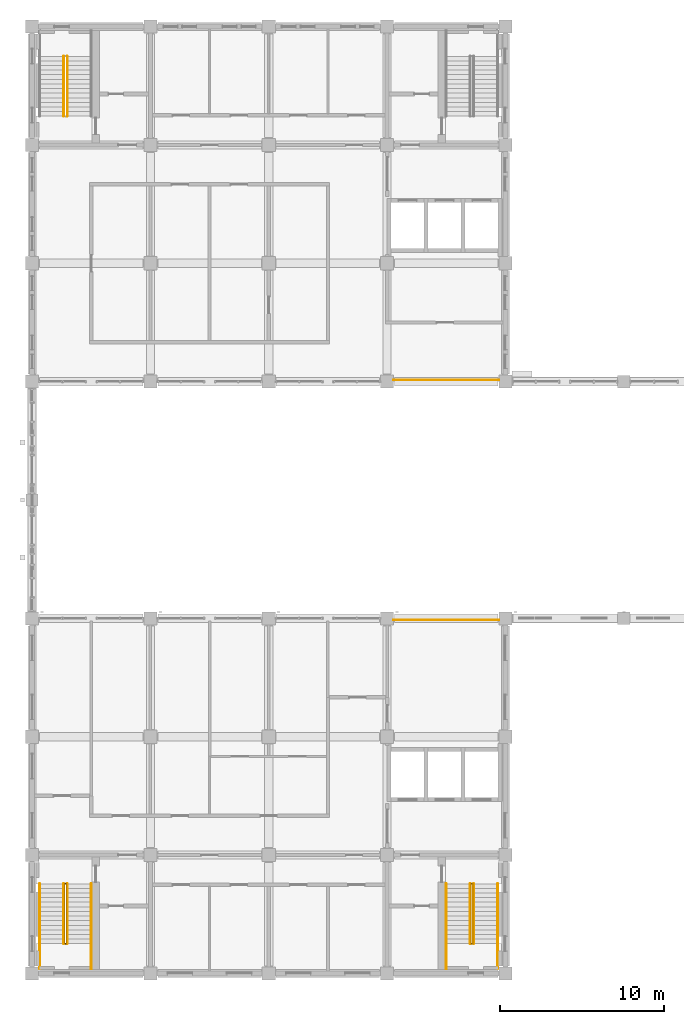
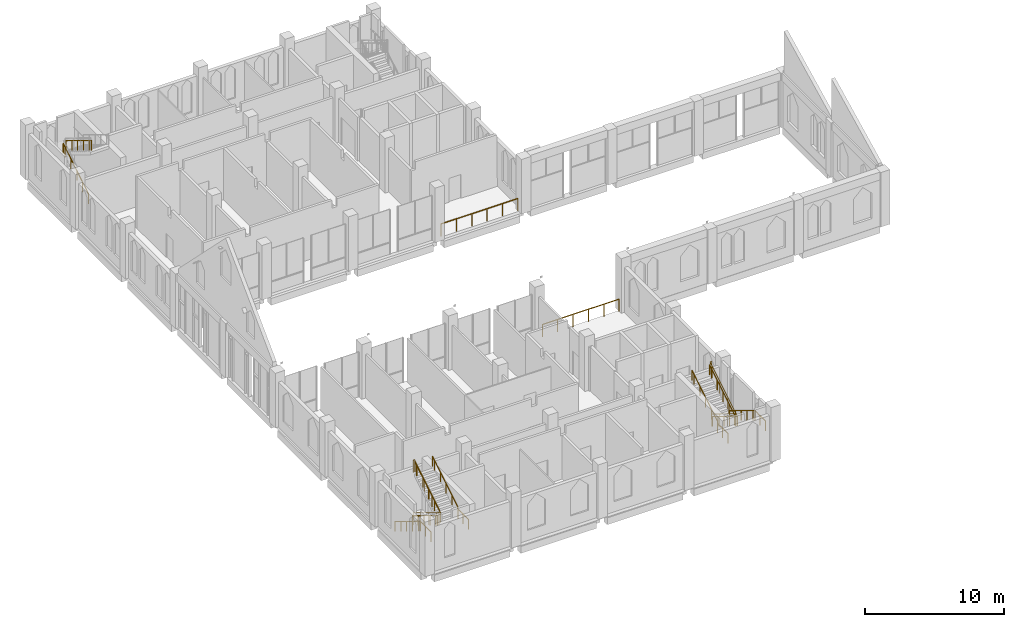
# One storey, part 30 of 31: 14 railings.
"""IFC4 building model written with IfcOpenShell, lengths in metres."""

from ifc_helpers import new_model, si_unit, direction, frame, origin, origin_2d, place, context, subcontext, project, spatial, circle, extrude, material, type_object, element, save


model = new_model("IFC4")

# Units and contexts
model_context = context("Model", 3, precision=1e-05, world=origin(), true_north=direction((0.0, 1.0)))
body_context = subcontext(model_context, "Body", "Model", "MODEL_VIEW")
ifc_project = project(units=[si_unit("LENGTHUNIT", "METRE"), si_unit("AREAUNIT", "SQUARE_METRE"), si_unit("VOLUMEUNIT", "CUBIC_METRE"), si_unit("PLANEANGLEUNIT", "RADIAN"), si_unit("MASSUNIT", "GRAM", prefix="KILO")], contexts=[model_context])

# Site, building, storey
site_placement = place(None, origin())
site = spatial("IfcSite", under=ifc_project, at=site_placement, CompositionType="ELEMENT")
building_placement = place(site_placement, origin())
building = spatial("IfcBuilding", under=site, at=building_placement, Name="Silangan Lancet Faculty of Sciences", CompositionType="ELEMENT")
storey_placement = place(building_placement, frame((0.0, 0.0, 36.0)))
storey = spatial("IfcBuildingStorey", under=building, at=storey_placement, Name="L07", CompositionType="ELEMENT", Elevation=36.0)

# Railings
ifc_material_1 = material(Name="Steel balustrade", Category="steel")
railing_type_1 = type_object("IfcRailingType", Name="ATRIUM GUARD 1100", PredefinedType="GUARDRAIL", material=ifc_material_1)
for number, where, name in (
    (1, (22.0, 21.5, 0.0), "GUARD-ATR-L07-S13"),
    (2, (22.0, 36.10009765625, 0.0), "GUARD-ATR-L07-N14"),
):
    element("IfcRailing", number, at=place(storey_placement, frame(where)), inside=storey, type_object=railing_type_1, Name=name, PredefinedType="GUARDRAIL", context=body_context, shape_type="SweptSolid", body=[
        extrude(circle(Radius=0.02392578125, at=origin_2d()), frame((0.0, 0.0, 1.076171875), z_axis=(1.0, 0.0, 0.0), x_axis=(0.0, 1.0, 0.0)), (0.0, 0.0, 1.0), 6.39990234375),
        extrude(circle(Radius=0.02099609375, at=origin_2d()), origin(), (0.0, 0.0, 1.0), 1.052001953125),
        extrude(circle(Radius=0.02099609375, at=origin_2d()), frame((1.280029296875, 0.0, 0.0)), (0.0, 0.0, 1.0), 1.052001953125),
        extrude(circle(Radius=0.02099609375, at=origin_2d()), frame((2.56005859375, 0.0, 0.0)), (0.0, 0.0, 1.0), 1.052001953125),
        extrude(circle(Radius=0.02099609375, at=origin_2d()), frame((3.83984375, 0.0, 0.0)), (0.0, 0.0, 1.0), 1.052001953125),
        extrude(circle(Radius=0.02099609375, at=origin_2d()), frame((5.119873046875, 0.0, 0.0)), (0.0, 0.0, 1.0), 1.052001953125),
        extrude(circle(Radius=0.02099609375, at=origin_2d()), frame((6.39990234375, 0.0, 0.0)), (0.0, 0.0, 1.0), 1.052001953125),
    ])
ifc_material_2 = material(Name="Steel balustrade", Category="steel")
railing_type_2 = type_object("IfcRailingType", Name="STAIR GUARD 1100", PredefinedType="GUARDRAIL", material=ifc_material_2)
railing_1_placement = place(storey_placement, frame((1.97509765625, 5.449951171875, 0.17138671875)))
element("IfcRailing", 3, at=railing_1_placement, inside=storey, type_object=railing_type_2, Name="GUARD-ST-A-L07", PredefinedType="GUARDRAIL", context=body_context, shape_type="SweptSolid", body=[
    extrude(circle(Radius=0.02392578125, at=origin_2d()), frame((0.0, 0.0, 1.076171875), z_axis=(0.0, -0.852798921012, 0.522239409008), x_axis=(1.0, 0.0, 0.0)), (0.0, 0.0, 1.0), 1.313232421875),
    extrude(circle(Radius=0.02392578125, at=origin_2d()), frame((0.0, -1.119873046875, 1.76171875), z_axis=(0.0, -0.852849614702, 0.52215661894), x_axis=(1.0, 0.0, 0.0)), (0.0, 0.0, 1.0), 1.3134765625),
    extrude(circle(Radius=0.02392578125, at=origin_2d()), frame((0.0, -2.239990234375, 2.44775390625), z_axis=(0.0, -0.852881719064, 0.522104178577), x_axis=(1.0, 0.0, 0.0)), (0.0, 0.0, 1.0), 1.31298828125),
    extrude(circle(Radius=0.02392578125, at=origin_2d()), frame((0.0, -3.35986328125, 3.13330078125), z_axis=(0.0, -0.852932391421, 0.522021393877), x_axis=(1.0, 0.0, 0.0)), (0.0, 0.0, 1.0), 0.328369140625),
    extrude(circle(Radius=0.02392578125, at=origin_2d()), frame((0.0, -3.639892578125, 3.3046875), z_axis=(1.0, 0.0, 0.0), x_axis=(0.0, 1.0, 0.0)), (0.0, 0.0, 1.0), 0.125),
    extrude(circle(Radius=0.02392578125, at=origin_2d()), frame((0.125, -3.639892578125, 3.3046875), z_axis=(0.0, 0.0, 1.0), x_axis=(1.0, 0.0, 0.0)), (0.0, 0.0, 1.0), 0.17138671875),
    extrude(circle(Radius=0.02392578125, at=origin_2d()), frame((0.125, -3.639892578125, 3.47607421875), z_axis=(0.0, 0.852798921012, 0.522239409008), x_axis=(-1.0, 0.0, 0.0)), (0.0, 0.0, 1.0), 1.313232421875),
    extrude(circle(Radius=0.02392578125, at=origin_2d()), frame((0.125, -2.52001953125, 4.16162109375), z_axis=(0.0, 0.852849614702, 0.52215661894), x_axis=(-1.0, 0.0, 0.0)), (0.0, 0.0, 1.0), 1.3134765625),
    extrude(circle(Radius=0.02392578125, at=origin_2d()), frame((0.125, -1.39990234375, 4.84765625), z_axis=(0.0, 0.852798921012, 0.522239409008), x_axis=(-1.0, 0.0, 0.0)), (0.0, 0.0, 1.0), 1.313232421875),
    extrude(circle(Radius=0.02392578125, at=origin_2d()), frame((0.125, -0.280029296875, 5.533203125), z_axis=(0.0, 0.852932391421, 0.522021393877), x_axis=(-1.0, 0.0, 0.0)), (0.0, 0.0, 1.0), 0.328369140625),
    extrude(circle(Radius=0.02392578125, at=origin_2d()), frame((0.125, 0.0, 5.70458984375), z_axis=(-1.0, 0.0, 0.0), x_axis=(0.0, -1.0, 0.0)), (0.0, 0.0, 1.0), 0.125),
    extrude(circle(Radius=0.02099609375, at=origin_2d()), origin(), (0.0, 0.0, 1.0), 1.052001953125),
    extrude(circle(Radius=0.02099609375, at=origin_2d()), frame((0.0, -1.119873046875, 0.685791015625)), (0.0, 0.0, 1.0), 1.052001953125),
    extrude(circle(Radius=0.02099609375, at=origin_2d()), frame((0.0, -2.239990234375, 1.37158203125)), (0.0, 0.0, 1.0), 1.052001953125),
    extrude(circle(Radius=0.02099609375, at=origin_2d()), frame((0.0, -3.35986328125, 2.05712890625)), (0.0, 0.0, 1.0), 1.052001953125),
    extrude(circle(Radius=0.02099609375, at=origin_2d()), frame((0.0, -3.639892578125, 2.228515625)), (0.0, 0.0, 1.0), 1.052001953125),
    extrude(circle(Radius=0.02099609375, at=origin_2d()), frame((0.125, -3.639892578125, 2.228515625)), (0.0, 0.0, 1.0), 1.052001953125),
    extrude(circle(Radius=0.02099609375, at=origin_2d()), frame((0.125, -3.639892578125, 2.39990234375)), (0.0, 0.0, 1.0), 1.052001953125),
    extrude(circle(Radius=0.02099609375, at=origin_2d()), frame((0.125, -2.52001953125, 3.085693359375)), (0.0, 0.0, 1.0), 1.052001953125),
    extrude(circle(Radius=0.02099609375, at=origin_2d()), frame((0.125, -1.39990234375, 3.771484375)), (0.0, 0.0, 1.0), 1.052001953125),
    extrude(circle(Radius=0.02099609375, at=origin_2d()), frame((0.125, -0.280029296875, 4.457275390625)), (0.0, 0.0, 1.0), 1.052001953125),
    extrude(circle(Radius=0.02099609375, at=origin_2d()), frame((0.125, 0.0, 4.628662109375)), (0.0, 0.0, 1.0), 1.052001953125),
    extrude(circle(Radius=0.02099609375, at=origin_2d()), frame((0.0, 0.0, 4.628662109375)), (0.0, 0.0, 1.0), 1.052001953125),
])
railing_2_placement = place(storey_placement, frame((26.824951171875, 5.449951171875, 0.17138671875)))
element("IfcRailing", 4, at=railing_2_placement, inside=storey, type_object=railing_type_2, Name="GUARD-ST-B-L07", PredefinedType="GUARDRAIL", context=body_context, shape_type="SweptSolid", body=[
    extrude(circle(Radius=0.02392578125, at=origin_2d()), frame((0.0, 0.0, 1.076171875), z_axis=(0.0, -0.852798921012, 0.522239409008), x_axis=(1.0, 0.0, 0.0)), (0.0, 0.0, 1.0), 1.313232421875),
    extrude(circle(Radius=0.02392578125, at=origin_2d()), frame((0.0, -1.119873046875, 1.76171875), z_axis=(0.0, -0.852849614702, 0.52215661894), x_axis=(1.0, 0.0, 0.0)), (0.0, 0.0, 1.0), 1.3134765625),
    extrude(circle(Radius=0.02392578125, at=origin_2d()), frame((0.0, -2.239990234375, 2.44775390625), z_axis=(0.0, -0.852881719064, 0.522104178577), x_axis=(1.0, 0.0, 0.0)), (0.0, 0.0, 1.0), 1.31298828125),
    extrude(circle(Radius=0.02392578125, at=origin_2d()), frame((0.0, -3.35986328125, 3.13330078125), z_axis=(0.0, -0.852932391421, 0.522021393877), x_axis=(1.0, 0.0, 0.0)), (0.0, 0.0, 1.0), 0.328369140625),
    extrude(circle(Radius=0.02392578125, at=origin_2d()), frame((0.0, -3.639892578125, 3.3046875), z_axis=(-1.0, 0.0, 0.0), x_axis=(0.0, -1.0, 0.0)), (0.0, 0.0, 1.0), 0.125),
    extrude(circle(Radius=0.02392578125, at=origin_2d()), frame((-0.125, -3.639892578125, 3.3046875), z_axis=(0.0, 0.0, 1.0), x_axis=(1.0, 0.0, 0.0)), (0.0, 0.0, 1.0), 0.17138671875),
    extrude(circle(Radius=0.02392578125, at=origin_2d()), frame((-0.125, -3.639892578125, 3.47607421875), z_axis=(0.0, 0.852798921012, 0.522239409008), x_axis=(-1.0, 0.0, 0.0)), (0.0, 0.0, 1.0), 1.313232421875),
    extrude(circle(Radius=0.02392578125, at=origin_2d()), frame((-0.125, -2.52001953125, 4.16162109375), z_axis=(0.0, 0.852849614702, 0.52215661894), x_axis=(-1.0, 0.0, 0.0)), (0.0, 0.0, 1.0), 1.3134765625),
    extrude(circle(Radius=0.02392578125, at=origin_2d()), frame((-0.125, -1.39990234375, 4.84765625), z_axis=(0.0, 0.852798921012, 0.522239409008), x_axis=(-1.0, 0.0, 0.0)), (0.0, 0.0, 1.0), 1.313232421875),
    extrude(circle(Radius=0.02392578125, at=origin_2d()), frame((-0.125, -0.280029296875, 5.533203125), z_axis=(0.0, 0.852932391421, 0.522021393877), x_axis=(-1.0, 0.0, 0.0)), (0.0, 0.0, 1.0), 0.328369140625),
    extrude(circle(Radius=0.02392578125, at=origin_2d()), frame((-0.125, 0.0, 5.70458984375), z_axis=(1.0, 0.0, 0.0), x_axis=(0.0, 1.0, 0.0)), (0.0, 0.0, 1.0), 0.125),
    extrude(circle(Radius=0.02099609375, at=origin_2d()), origin(), (0.0, 0.0, 1.0), 1.052001953125),
    extrude(circle(Radius=0.02099609375, at=origin_2d()), frame((0.0, -1.119873046875, 0.685791015625)), (0.0, 0.0, 1.0), 1.052001953125),
    extrude(circle(Radius=0.02099609375, at=origin_2d()), frame((0.0, -2.239990234375, 1.37158203125)), (0.0, 0.0, 1.0), 1.052001953125),
    extrude(circle(Radius=0.02099609375, at=origin_2d()), frame((0.0, -3.35986328125, 2.05712890625)), (0.0, 0.0, 1.0), 1.052001953125),
    extrude(circle(Radius=0.02099609375, at=origin_2d()), frame((0.0, -3.639892578125, 2.228515625)), (0.0, 0.0, 1.0), 1.052001953125),
    extrude(circle(Radius=0.02099609375, at=origin_2d()), frame((-0.125, -3.639892578125, 2.228515625)), (0.0, 0.0, 1.0), 1.052001953125),
    extrude(circle(Radius=0.02099609375, at=origin_2d()), frame((-0.125, -3.639892578125, 2.39990234375)), (0.0, 0.0, 1.0), 1.052001953125),
    extrude(circle(Radius=0.02099609375, at=origin_2d()), frame((-0.125, -2.52001953125, 3.085693359375)), (0.0, 0.0, 1.0), 1.052001953125),
    extrude(circle(Radius=0.02099609375, at=origin_2d()), frame((-0.125, -1.39990234375, 3.771484375)), (0.0, 0.0, 1.0), 1.052001953125),
    extrude(circle(Radius=0.02099609375, at=origin_2d()), frame((-0.125, -0.280029296875, 4.457275390625)), (0.0, 0.0, 1.0), 1.052001953125),
    extrude(circle(Radius=0.02099609375, at=origin_2d()), frame((-0.125, 0.0, 4.628662109375)), (0.0, 0.0, 1.0), 1.052001953125),
    extrude(circle(Radius=0.02099609375, at=origin_2d()), frame((0.0, 0.0, 4.628662109375)), (0.0, 0.0, 1.0), 1.052001953125),
])
ifc_material_3 = material(Name="Stainless steel", Category="steel")
railing_type_3 = type_object("IfcRailingType", Name="STAIR HANDRAIL 865", PredefinedType="HANDRAIL", material=ifc_material_3)
railing_3_placement = place(storey_placement, frame((1.925048828125, 52.14990234375, 0.17138671875)))
element("IfcRailing", 5, at=railing_3_placement, inside=storey, type_object=railing_type_3, Name="HANDRAIL-NT-A-L07-I1", PredefinedType="HANDRAIL", context=body_context, shape_type="SweptSolid", body=[
    extrude(circle(Radius=0.02392578125, at=origin_2d()), frame((0.0, 0.0, 0.8408203125), z_axis=(0.0, 0.852822021269, 0.522201685212), x_axis=(-1.0, 0.0, 0.0)), (0.0, 0.0, 1.0), 0.985107421875),
    extrude(circle(Radius=0.02392578125, at=origin_2d()), frame((0.0, 0.840087890625, 1.35546875), z_axis=(0.0, 0.852932391421, 0.522021393877), x_axis=(-1.0, 0.0, 0.0)), (0.0, 0.0, 1.0), 0.98486328125),
    extrude(circle(Radius=0.02392578125, at=origin_2d()), frame((0.0, 1.68017578125, 1.86962890625), z_axis=(0.0, 0.852754414843, 0.522312079092), x_axis=(-1.0, 0.0, 0.0)), (0.0, 0.0, 1.0), 0.98486328125),
    extrude(circle(Radius=0.02392578125, at=origin_2d()), frame((0.0, 2.52001953125, 2.3837890625), z_axis=(0.0, 0.852932391421, 0.522021393877), x_axis=(-1.0, 0.0, 0.0)), (0.0, 0.0, 1.0), 0.98486328125),
    extrude(circle(Radius=0.02392578125, at=origin_2d()), frame((0.0, 3.360107421875, 2.89794921875), z_axis=(0.0, 0.852932391421, 0.522021393877), x_axis=(-1.0, 0.0, 0.0)), (0.0, 0.0, 1.0), 0.328369140625),
    extrude(circle(Radius=0.02099609375, at=origin_2d()), origin(), (0.0, 0.0, 1.0), 0.81689453125),
    extrude(circle(Radius=0.02099609375, at=origin_2d()), frame((0.0, 0.840087890625, 0.514404296875)), (0.0, 0.0, 1.0), 0.81689453125),
    extrude(circle(Radius=0.02099609375, at=origin_2d()), frame((0.0, 1.68017578125, 1.028564453125)), (0.0, 0.0, 1.0), 0.81689453125),
    extrude(circle(Radius=0.02099609375, at=origin_2d()), frame((0.0, 2.52001953125, 1.54296875)), (0.0, 0.0, 1.0), 0.81689453125),
    extrude(circle(Radius=0.02099609375, at=origin_2d()), frame((0.0, 3.360107421875, 2.05712890625)), (0.0, 0.0, 1.0), 0.81689453125),
    extrude(circle(Radius=0.02099609375, at=origin_2d()), frame((0.0, 3.64013671875, 2.228515625)), (0.0, 0.0, 1.0), 0.81689453125),
])
railing_4_placement = place(storey_placement, frame((2.14990234375, 55.7900390625, 2.5712890625)))
element("IfcRailing", 6, at=railing_4_placement, inside=storey, type_object=railing_type_3, Name="HANDRAIL-NT-A-L07-I2", PredefinedType="HANDRAIL", context=body_context, shape_type="SweptSolid", body=[
    extrude(circle(Radius=0.02392578125, at=origin_2d()), frame((0.0, 0.0, 0.8408203125), z_axis=(0.0, -0.852822021269, 0.522201685212), x_axis=(1.0, 0.0, 0.0)), (0.0, 0.0, 1.0), 0.985107421875),
    extrude(circle(Radius=0.02392578125, at=origin_2d()), frame((0.0, -0.840087890625, 1.35546875), z_axis=(0.0, -0.852754414843, 0.522312079092), x_axis=(1.0, 0.0, 0.0)), (0.0, 0.0, 1.0), 0.98486328125),
    extrude(circle(Radius=0.02392578125, at=origin_2d()), frame((0.0, -1.679931640625, 1.86962890625), z_axis=(0.0, -0.852932391421, 0.522021393877), x_axis=(1.0, 0.0, 0.0)), (0.0, 0.0, 1.0), 0.98486328125),
    extrude(circle(Radius=0.02392578125, at=origin_2d()), frame((0.0, -2.52001953125, 2.3837890625), z_axis=(0.0, -0.852822021269, 0.522201685212), x_axis=(1.0, 0.0, 0.0)), (0.0, 0.0, 1.0), 0.985107421875),
    extrude(circle(Radius=0.02392578125, at=origin_2d()), frame((0.0, -3.360107421875, 2.8984375), z_axis=(0.0, -0.852932391421, 0.522021393877), x_axis=(1.0, 0.0, 0.0)), (0.0, 0.0, 1.0), 0.328369140625),
    extrude(circle(Radius=0.02099609375, at=origin_2d()), origin(), (0.0, 0.0, 1.0), 0.81689453125),
    extrude(circle(Radius=0.02099609375, at=origin_2d()), frame((0.0, -0.840087890625, 0.514404296875)), (0.0, 0.0, 1.0), 0.81689453125),
    extrude(circle(Radius=0.02099609375, at=origin_2d()), frame((0.0, -1.679931640625, 1.02880859375)), (0.0, 0.0, 1.0), 0.81689453125),
    extrude(circle(Radius=0.02099609375, at=origin_2d()), frame((0.0, -2.52001953125, 1.54296875)), (0.0, 0.0, 1.0), 0.81689453125),
    extrude(circle(Radius=0.02099609375, at=origin_2d()), frame((0.0, -3.360107421875, 2.057373046875)), (0.0, 0.0, 1.0), 0.81689453125),
    extrude(circle(Radius=0.02099609375, at=origin_2d()), frame((0.0, -3.64013671875, 2.228759765625)), (0.0, 0.0, 1.0), 0.81689453125),
])
railing_5_placement = place(storey_placement, frame((0.47509765625, 5.449951171875, 0.17138671875)))
element("IfcRailing", 7, at=railing_5_placement, inside=storey, type_object=railing_type_3, Name="HANDRAIL-ST-A-L07-O1", PredefinedType="HANDRAIL", context=body_context, shape_type="SweptSolid", body=[
    extrude(circle(Radius=0.02392578125, at=origin_2d()), frame((0.0, 0.0, 0.8408203125), z_axis=(0.0, -0.852754414843, 0.522312079092), x_axis=(1.0, 0.0, 0.0)), (0.0, 0.0, 1.0), 0.98486328125),
    extrude(circle(Radius=0.02392578125, at=origin_2d()), frame((0.0, -0.83984375, 1.35546875), z_axis=(0.0, -0.852932391421, 0.522021393877), x_axis=(1.0, 0.0, 0.0)), (0.0, 0.0, 1.0), 0.98486328125),
    extrude(circle(Radius=0.02392578125, at=origin_2d()), frame((0.0, -1.679931640625, 1.86962890625), z_axis=(0.0, -0.852822021269, 0.522201685212), x_axis=(1.0, 0.0, 0.0)), (0.0, 0.0, 1.0), 0.985107421875),
    extrude(circle(Radius=0.02392578125, at=origin_2d()), frame((0.0, -2.52001953125, 2.3837890625), z_axis=(0.0, -0.85286482292, 0.522131778218), x_axis=(1.0, 0.0, 0.0)), (0.0, 0.0, 1.0), 0.984619140625),
    extrude(circle(Radius=0.02392578125, at=origin_2d()), frame((0.0, -3.35986328125, 2.89794921875), z_axis=(0.0, -0.852932391421, 0.522021393877), x_axis=(1.0, 0.0, 0.0)), (0.0, 0.0, 1.0), 0.328369140625),
    extrude(circle(Radius=0.02392578125, at=origin_2d()), frame((0.0, -3.639892578125, 3.0693359375), z_axis=(0.0, -1.0, 0.0), x_axis=(1.0, 0.0, 0.0)), (0.0, 0.0, 1.0), 1.53515625),
    extrude(circle(Radius=0.02099609375, at=origin_2d()), origin(), (0.0, 0.0, 1.0), 0.81689453125),
    extrude(circle(Radius=0.02099609375, at=origin_2d()), frame((0.0, -0.83984375, 0.514404296875)), (0.0, 0.0, 1.0), 0.81689453125),
    extrude(circle(Radius=0.02099609375, at=origin_2d()), frame((0.0, -1.679931640625, 1.028564453125)), (0.0, 0.0, 1.0), 0.81689453125),
    extrude(circle(Radius=0.02099609375, at=origin_2d()), frame((0.0, -2.52001953125, 1.54296875)), (0.0, 0.0, 1.0), 0.81689453125),
    extrude(circle(Radius=0.02099609375, at=origin_2d()), frame((0.0, -3.35986328125, 2.05712890625)), (0.0, 0.0, 1.0), 0.81689453125),
    extrude(circle(Radius=0.02099609375, at=origin_2d()), frame((0.0, -3.639892578125, 2.228515625)), (0.0, 0.0, 1.0), 0.81689453125),
    extrude(circle(Radius=0.02099609375, at=origin_2d()), frame((0.0, -4.407470703125, 2.228515625)), (0.0, 0.0, 1.0), 0.81689453125),
    extrude(circle(Radius=0.02099609375, at=origin_2d()), frame((0.0, -5.175048828125, 2.228515625)), (0.0, 0.0, 1.0), 0.81689453125),
])
railing_6_placement = place(storey_placement, frame((1.925048828125, 5.449951171875, 0.17138671875)))
element("IfcRailing", 8, at=railing_6_placement, inside=storey, type_object=railing_type_3, Name="HANDRAIL-ST-A-L07-I1", PredefinedType="HANDRAIL", context=body_context, shape_type="SweptSolid", body=[
    extrude(circle(Radius=0.02392578125, at=origin_2d()), frame((0.0, 0.0, 0.8408203125), z_axis=(0.0, -0.852754414843, 0.522312079092), x_axis=(1.0, 0.0, 0.0)), (0.0, 0.0, 1.0), 0.98486328125),
    extrude(circle(Radius=0.02392578125, at=origin_2d()), frame((0.0, -0.83984375, 1.35546875), z_axis=(0.0, -0.852932391421, 0.522021393877), x_axis=(1.0, 0.0, 0.0)), (0.0, 0.0, 1.0), 0.98486328125),
    extrude(circle(Radius=0.02392578125, at=origin_2d()), frame((0.0, -1.679931640625, 1.86962890625), z_axis=(0.0, -0.852822021269, 0.522201685212), x_axis=(1.0, 0.0, 0.0)), (0.0, 0.0, 1.0), 0.985107421875),
    extrude(circle(Radius=0.02392578125, at=origin_2d()), frame((0.0, -2.52001953125, 2.3837890625), z_axis=(0.0, -0.85286482292, 0.522131778218), x_axis=(1.0, 0.0, 0.0)), (0.0, 0.0, 1.0), 0.984619140625),
    extrude(circle(Radius=0.02392578125, at=origin_2d()), frame((0.0, -3.35986328125, 2.89794921875), z_axis=(0.0, -0.852932391421, 0.522021393877), x_axis=(1.0, 0.0, 0.0)), (0.0, 0.0, 1.0), 0.328369140625),
    extrude(circle(Radius=0.02099609375, at=origin_2d()), origin(), (0.0, 0.0, 1.0), 0.81689453125),
    extrude(circle(Radius=0.02099609375, at=origin_2d()), frame((0.0, -0.83984375, 0.514404296875)), (0.0, 0.0, 1.0), 0.81689453125),
    extrude(circle(Radius=0.02099609375, at=origin_2d()), frame((0.0, -1.679931640625, 1.028564453125)), (0.0, 0.0, 1.0), 0.81689453125),
    extrude(circle(Radius=0.02099609375, at=origin_2d()), frame((0.0, -2.52001953125, 1.54296875)), (0.0, 0.0, 1.0), 0.81689453125),
    extrude(circle(Radius=0.02099609375, at=origin_2d()), frame((0.0, -3.35986328125, 2.05712890625)), (0.0, 0.0, 1.0), 0.81689453125),
    extrude(circle(Radius=0.02099609375, at=origin_2d()), frame((0.0, -3.639892578125, 2.228515625)), (0.0, 0.0, 1.0), 0.81689453125),
])
railing_7_placement = place(storey_placement, frame((3.60009765625, 0.27490234375, 2.39990234375)))
element("IfcRailing", 9, at=railing_7_placement, inside=storey, type_object=railing_type_3, Name="HANDRAIL-ST-A-L07-O2", PredefinedType="HANDRAIL", context=body_context, shape_type="SweptSolid", body=[
    extrude(circle(Radius=0.02392578125, at=origin_2d()), frame((0.0, 0.0, 0.8408203125), z_axis=(0.0, 1.0, 0.0), x_axis=(-1.0, 0.0, 0.0)), (0.0, 0.0, 1.0), 1.53515625),
    extrude(circle(Radius=0.02392578125, at=origin_2d()), frame((0.0, 1.53515625, 0.8408203125), z_axis=(0.0, 0.0, 1.0), x_axis=(1.0, 0.0, 0.0)), (0.0, 0.0, 1.0), 0.17138671875),
    extrude(circle(Radius=0.02392578125, at=origin_2d()), frame((0.0, 1.53515625, 1.01220703125), z_axis=(0.0, 0.852754414843, 0.522312079092), x_axis=(-1.0, 0.0, 0.0)), (0.0, 0.0, 1.0), 0.98486328125),
    extrude(circle(Radius=0.02392578125, at=origin_2d()), frame((0.0, 2.375, 1.52685546875), z_axis=(0.0, 0.852822021269, 0.522201685212), x_axis=(-1.0, 0.0, 0.0)), (0.0, 0.0, 1.0), 0.985107421875),
    extrude(circle(Radius=0.02392578125, at=origin_2d()), frame((0.0, 3.215087890625, 2.041015625), z_axis=(0.0, 0.852932391421, 0.522021393877), x_axis=(-1.0, 0.0, 0.0)), (0.0, 0.0, 1.0), 0.98486328125),
    extrude(circle(Radius=0.02392578125, at=origin_2d()), frame((0.0, 4.05517578125, 2.55517578125), z_axis=(0.0, 0.852754414843, 0.522312079092), x_axis=(-1.0, 0.0, 0.0)), (0.0, 0.0, 1.0), 0.98486328125),
    extrude(circle(Radius=0.02392578125, at=origin_2d()), frame((0.0, 4.89501953125, 3.06982421875), z_axis=(0.0, 0.852932391421, 0.522021393877), x_axis=(-1.0, 0.0, 0.0)), (0.0, 0.0, 1.0), 0.328369140625),
    extrude(circle(Radius=0.02099609375, at=origin_2d()), origin(), (0.0, 0.0, 1.0), 0.81689453125),
    extrude(circle(Radius=0.02099609375, at=origin_2d()), frame((0.0, 0.767578125, 0.0)), (0.0, 0.0, 1.0), 0.81689453125),
    extrude(circle(Radius=0.02099609375, at=origin_2d()), frame((0.0, 1.53515625, 0.0)), (0.0, 0.0, 1.0), 0.81689453125),
    extrude(circle(Radius=0.02099609375, at=origin_2d()), frame((0.0, 1.53515625, 0.17138671875)), (0.0, 0.0, 1.0), 0.81689453125),
    extrude(circle(Radius=0.02099609375, at=origin_2d()), frame((0.0, 2.375, 0.685791015625)), (0.0, 0.0, 1.0), 0.81689453125),
    extrude(circle(Radius=0.02099609375, at=origin_2d()), frame((0.0, 3.215087890625, 1.2001953125)), (0.0, 0.0, 1.0), 0.81689453125),
    extrude(circle(Radius=0.02099609375, at=origin_2d()), frame((0.0, 4.05517578125, 1.71435546875)), (0.0, 0.0, 1.0), 0.81689453125),
    extrude(circle(Radius=0.02099609375, at=origin_2d()), frame((0.0, 4.89501953125, 2.228759765625)), (0.0, 0.0, 1.0), 0.81689453125),
    extrude(circle(Radius=0.02099609375, at=origin_2d()), frame((0.0, 5.175048828125, 2.400146484375)), (0.0, 0.0, 1.0), 0.81689453125),
])
railing_8_placement = place(storey_placement, frame((2.14990234375, 1.81005859375, 2.5712890625)))
element("IfcRailing", 10, at=railing_8_placement, inside=storey, type_object=railing_type_3, Name="HANDRAIL-ST-A-L07-I2", PredefinedType="HANDRAIL", context=body_context, shape_type="SweptSolid", body=[
    extrude(circle(Radius=0.02392578125, at=origin_2d()), frame((0.0, 0.0, 0.8408203125), z_axis=(0.0, 0.852754414843, 0.522312079092), x_axis=(-1.0, 0.0, 0.0)), (0.0, 0.0, 1.0), 0.98486328125),
    extrude(circle(Radius=0.02392578125, at=origin_2d()), frame((0.0, 0.83984375, 1.35546875), z_axis=(0.0, 0.852822021269, 0.522201685212), x_axis=(-1.0, 0.0, 0.0)), (0.0, 0.0, 1.0), 0.985107421875),
    extrude(circle(Radius=0.02392578125, at=origin_2d()), frame((0.0, 1.679931640625, 1.86962890625), z_axis=(0.0, 0.852932391421, 0.522021393877), x_axis=(-1.0, 0.0, 0.0)), (0.0, 0.0, 1.0), 0.98486328125),
    extrude(circle(Radius=0.02392578125, at=origin_2d()), frame((0.0, 2.52001953125, 2.3837890625), z_axis=(0.0, 0.852754414843, 0.522312079092), x_axis=(-1.0, 0.0, 0.0)), (0.0, 0.0, 1.0), 0.98486328125),
    extrude(circle(Radius=0.02392578125, at=origin_2d()), frame((0.0, 3.35986328125, 2.8984375), z_axis=(0.0, 0.852932391421, 0.522021393877), x_axis=(-1.0, 0.0, 0.0)), (0.0, 0.0, 1.0), 0.328369140625),
    extrude(circle(Radius=0.02099609375, at=origin_2d()), origin(), (0.0, 0.0, 1.0), 0.81689453125),
    extrude(circle(Radius=0.02099609375, at=origin_2d()), frame((0.0, 0.83984375, 0.514404296875)), (0.0, 0.0, 1.0), 0.81689453125),
    extrude(circle(Radius=0.02099609375, at=origin_2d()), frame((0.0, 1.679931640625, 1.02880859375)), (0.0, 0.0, 1.0), 0.81689453125),
    extrude(circle(Radius=0.02099609375, at=origin_2d()), frame((0.0, 2.52001953125, 1.54296875)), (0.0, 0.0, 1.0), 0.81689453125),
    extrude(circle(Radius=0.02099609375, at=origin_2d()), frame((0.0, 3.35986328125, 2.057373046875)), (0.0, 0.0, 1.0), 0.81689453125),
    extrude(circle(Radius=0.02099609375, at=origin_2d()), frame((0.0, 3.639892578125, 2.228759765625)), (0.0, 0.0, 1.0), 0.81689453125),
])
railing_9_placement = place(storey_placement, frame((28.324951171875, 5.449951171875, 0.17138671875)))
element("IfcRailing", 11, at=railing_9_placement, inside=storey, type_object=railing_type_3, Name="HANDRAIL-ST-B-L07-O1", PredefinedType="HANDRAIL", context=body_context, shape_type="SweptSolid", body=[
    extrude(circle(Radius=0.02392578125, at=origin_2d()), frame((0.0, 0.0, 0.8408203125), z_axis=(0.0, -0.852754414843, 0.522312079092), x_axis=(1.0, 0.0, 0.0)), (0.0, 0.0, 1.0), 0.98486328125),
    extrude(circle(Radius=0.02392578125, at=origin_2d()), frame((0.0, -0.83984375, 1.35546875), z_axis=(0.0, -0.852932391421, 0.522021393877), x_axis=(1.0, 0.0, 0.0)), (0.0, 0.0, 1.0), 0.98486328125),
    extrude(circle(Radius=0.02392578125, at=origin_2d()), frame((0.0, -1.679931640625, 1.86962890625), z_axis=(0.0, -0.852822021269, 0.522201685212), x_axis=(1.0, 0.0, 0.0)), (0.0, 0.0, 1.0), 0.985107421875),
    extrude(circle(Radius=0.02392578125, at=origin_2d()), frame((0.0, -2.52001953125, 2.3837890625), z_axis=(0.0, -0.85286482292, 0.522131778218), x_axis=(1.0, 0.0, 0.0)), (0.0, 0.0, 1.0), 0.984619140625),
    extrude(circle(Radius=0.02392578125, at=origin_2d()), frame((0.0, -3.35986328125, 2.89794921875), z_axis=(0.0, -0.852932391421, 0.522021393877), x_axis=(1.0, 0.0, 0.0)), (0.0, 0.0, 1.0), 0.328369140625),
    extrude(circle(Radius=0.02392578125, at=origin_2d()), frame((0.0, -3.639892578125, 3.0693359375), z_axis=(0.0, -1.0, 0.0), x_axis=(1.0, 0.0, 0.0)), (0.0, 0.0, 1.0), 1.53515625),
    extrude(circle(Radius=0.02099609375, at=origin_2d()), origin(), (0.0, 0.0, 1.0), 0.81689453125),
    extrude(circle(Radius=0.02099609375, at=origin_2d()), frame((0.0, -0.83984375, 0.514404296875)), (0.0, 0.0, 1.0), 0.81689453125),
    extrude(circle(Radius=0.02099609375, at=origin_2d()), frame((0.0, -1.679931640625, 1.028564453125)), (0.0, 0.0, 1.0), 0.81689453125),
    extrude(circle(Radius=0.02099609375, at=origin_2d()), frame((0.0, -2.52001953125, 1.54296875)), (0.0, 0.0, 1.0), 0.81689453125),
    extrude(circle(Radius=0.02099609375, at=origin_2d()), frame((0.0, -3.35986328125, 2.05712890625)), (0.0, 0.0, 1.0), 0.81689453125),
    extrude(circle(Radius=0.02099609375, at=origin_2d()), frame((0.0, -3.639892578125, 2.228515625)), (0.0, 0.0, 1.0), 0.81689453125),
    extrude(circle(Radius=0.02099609375, at=origin_2d()), frame((0.0, -4.407470703125, 2.228515625)), (0.0, 0.0, 1.0), 0.81689453125),
    extrude(circle(Radius=0.02099609375, at=origin_2d()), frame((0.0, -5.175048828125, 2.228515625)), (0.0, 0.0, 1.0), 0.81689453125),
])
railing_10_placement = place(storey_placement, frame((26.875, 5.449951171875, 0.17138671875)))
element("IfcRailing", 12, at=railing_10_placement, inside=storey, type_object=railing_type_3, Name="HANDRAIL-ST-B-L07-I1", PredefinedType="HANDRAIL", context=body_context, shape_type="SweptSolid", body=[
    extrude(circle(Radius=0.02392578125, at=origin_2d()), frame((0.0, 0.0, 0.8408203125), z_axis=(0.0, -0.852754414843, 0.522312079092), x_axis=(1.0, 0.0, 0.0)), (0.0, 0.0, 1.0), 0.98486328125),
    extrude(circle(Radius=0.02392578125, at=origin_2d()), frame((0.0, -0.83984375, 1.35546875), z_axis=(0.0, -0.852932391421, 0.522021393877), x_axis=(1.0, 0.0, 0.0)), (0.0, 0.0, 1.0), 0.98486328125),
    extrude(circle(Radius=0.02392578125, at=origin_2d()), frame((0.0, -1.679931640625, 1.86962890625), z_axis=(0.0, -0.852822021269, 0.522201685212), x_axis=(1.0, 0.0, 0.0)), (0.0, 0.0, 1.0), 0.985107421875),
    extrude(circle(Radius=0.02392578125, at=origin_2d()), frame((0.0, -2.52001953125, 2.3837890625), z_axis=(0.0, -0.85286482292, 0.522131778218), x_axis=(1.0, 0.0, 0.0)), (0.0, 0.0, 1.0), 0.984619140625),
    extrude(circle(Radius=0.02392578125, at=origin_2d()), frame((0.0, -3.35986328125, 2.89794921875), z_axis=(0.0, -0.852932391421, 0.522021393877), x_axis=(1.0, 0.0, 0.0)), (0.0, 0.0, 1.0), 0.328369140625),
    extrude(circle(Radius=0.02099609375, at=origin_2d()), origin(), (0.0, 0.0, 1.0), 0.81689453125),
    extrude(circle(Radius=0.02099609375, at=origin_2d()), frame((0.0, -0.83984375, 0.514404296875)), (0.0, 0.0, 1.0), 0.81689453125),
    extrude(circle(Radius=0.02099609375, at=origin_2d()), frame((0.0, -1.679931640625, 1.028564453125)), (0.0, 0.0, 1.0), 0.81689453125),
    extrude(circle(Radius=0.02099609375, at=origin_2d()), frame((0.0, -2.52001953125, 1.54296875)), (0.0, 0.0, 1.0), 0.81689453125),
    extrude(circle(Radius=0.02099609375, at=origin_2d()), frame((0.0, -3.35986328125, 2.05712890625)), (0.0, 0.0, 1.0), 0.81689453125),
    extrude(circle(Radius=0.02099609375, at=origin_2d()), frame((0.0, -3.639892578125, 2.228515625)), (0.0, 0.0, 1.0), 0.81689453125),
])
railing_11_placement = place(storey_placement, frame((25.199951171875, 0.27490234375, 2.39990234375)))
element("IfcRailing", 13, at=railing_11_placement, inside=storey, type_object=railing_type_3, Name="HANDRAIL-ST-B-L07-O2", PredefinedType="HANDRAIL", context=body_context, shape_type="SweptSolid", body=[
    extrude(circle(Radius=0.02392578125, at=origin_2d()), frame((0.0, 0.0, 0.8408203125), z_axis=(0.0, 1.0, 0.0), x_axis=(-1.0, 0.0, 0.0)), (0.0, 0.0, 1.0), 1.53515625),
    extrude(circle(Radius=0.02392578125, at=origin_2d()), frame((0.0, 1.53515625, 0.8408203125), z_axis=(0.0, 0.0, 1.0), x_axis=(1.0, 0.0, 0.0)), (0.0, 0.0, 1.0), 0.17138671875),
    extrude(circle(Radius=0.02392578125, at=origin_2d()), frame((0.0, 1.53515625, 1.01220703125), z_axis=(0.0, 0.852754414843, 0.522312079092), x_axis=(-1.0, 0.0, 0.0)), (0.0, 0.0, 1.0), 0.98486328125),
    extrude(circle(Radius=0.02392578125, at=origin_2d()), frame((0.0, 2.375, 1.52685546875), z_axis=(0.0, 0.852822021269, 0.522201685212), x_axis=(-1.0, 0.0, 0.0)), (0.0, 0.0, 1.0), 0.985107421875),
    extrude(circle(Radius=0.02392578125, at=origin_2d()), frame((0.0, 3.215087890625, 2.041015625), z_axis=(0.0, 0.852932391421, 0.522021393877), x_axis=(-1.0, 0.0, 0.0)), (0.0, 0.0, 1.0), 0.98486328125),
    extrude(circle(Radius=0.02392578125, at=origin_2d()), frame((0.0, 4.05517578125, 2.55517578125), z_axis=(0.0, 0.852754414843, 0.522312079092), x_axis=(-1.0, 0.0, 0.0)), (0.0, 0.0, 1.0), 0.98486328125),
    extrude(circle(Radius=0.02392578125, at=origin_2d()), frame((0.0, 4.89501953125, 3.06982421875), z_axis=(0.0, 0.852932391421, 0.522021393877), x_axis=(-1.0, 0.0, 0.0)), (0.0, 0.0, 1.0), 0.328369140625),
    extrude(circle(Radius=0.02099609375, at=origin_2d()), origin(), (0.0, 0.0, 1.0), 0.81689453125),
    extrude(circle(Radius=0.02099609375, at=origin_2d()), frame((0.0, 0.767578125, 0.0)), (0.0, 0.0, 1.0), 0.81689453125),
    extrude(circle(Radius=0.02099609375, at=origin_2d()), frame((0.0, 1.53515625, 0.0)), (0.0, 0.0, 1.0), 0.81689453125),
    extrude(circle(Radius=0.02099609375, at=origin_2d()), frame((0.0, 1.53515625, 0.17138671875)), (0.0, 0.0, 1.0), 0.81689453125),
    extrude(circle(Radius=0.02099609375, at=origin_2d()), frame((0.0, 2.375, 0.685791015625)), (0.0, 0.0, 1.0), 0.81689453125),
    extrude(circle(Radius=0.02099609375, at=origin_2d()), frame((0.0, 3.215087890625, 1.2001953125)), (0.0, 0.0, 1.0), 0.81689453125),
    extrude(circle(Radius=0.02099609375, at=origin_2d()), frame((0.0, 4.05517578125, 1.71435546875)), (0.0, 0.0, 1.0), 0.81689453125),
    extrude(circle(Radius=0.02099609375, at=origin_2d()), frame((0.0, 4.89501953125, 2.228759765625)), (0.0, 0.0, 1.0), 0.81689453125),
    extrude(circle(Radius=0.02099609375, at=origin_2d()), frame((0.0, 5.175048828125, 2.400146484375)), (0.0, 0.0, 1.0), 0.81689453125),
])
railing_12_placement = place(storey_placement, frame((26.64990234375, 1.81005859375, 2.5712890625)))
element("IfcRailing", 14, at=railing_12_placement, inside=storey, type_object=railing_type_3, Name="HANDRAIL-ST-B-L07-I2", PredefinedType="HANDRAIL", context=body_context, shape_type="SweptSolid", body=[
    extrude(circle(Radius=0.02392578125, at=origin_2d()), frame((0.0, 0.0, 0.8408203125), z_axis=(0.0, 0.852754414843, 0.522312079092), x_axis=(-1.0, 0.0, 0.0)), (0.0, 0.0, 1.0), 0.98486328125),
    extrude(circle(Radius=0.02392578125, at=origin_2d()), frame((0.0, 0.83984375, 1.35546875), z_axis=(0.0, 0.852822021269, 0.522201685212), x_axis=(-1.0, 0.0, 0.0)), (0.0, 0.0, 1.0), 0.985107421875),
    extrude(circle(Radius=0.02392578125, at=origin_2d()), frame((0.0, 1.679931640625, 1.86962890625), z_axis=(0.0, 0.852932391421, 0.522021393877), x_axis=(-1.0, 0.0, 0.0)), (0.0, 0.0, 1.0), 0.98486328125),
    extrude(circle(Radius=0.02392578125, at=origin_2d()), frame((0.0, 2.52001953125, 2.3837890625), z_axis=(0.0, 0.852754414843, 0.522312079092), x_axis=(-1.0, 0.0, 0.0)), (0.0, 0.0, 1.0), 0.98486328125),
    extrude(circle(Radius=0.02392578125, at=origin_2d()), frame((0.0, 3.35986328125, 2.8984375), z_axis=(0.0, 0.852932391421, 0.522021393877), x_axis=(-1.0, 0.0, 0.0)), (0.0, 0.0, 1.0), 0.328369140625),
    extrude(circle(Radius=0.02099609375, at=origin_2d()), origin(), (0.0, 0.0, 1.0), 0.81689453125),
    extrude(circle(Radius=0.02099609375, at=origin_2d()), frame((0.0, 0.83984375, 0.514404296875)), (0.0, 0.0, 1.0), 0.81689453125),
    extrude(circle(Radius=0.02099609375, at=origin_2d()), frame((0.0, 1.679931640625, 1.02880859375)), (0.0, 0.0, 1.0), 0.81689453125),
    extrude(circle(Radius=0.02099609375, at=origin_2d()), frame((0.0, 2.52001953125, 1.54296875)), (0.0, 0.0, 1.0), 0.81689453125),
    extrude(circle(Radius=0.02099609375, at=origin_2d()), frame((0.0, 3.35986328125, 2.057373046875)), (0.0, 0.0, 1.0), 0.81689453125),
    extrude(circle(Radius=0.02099609375, at=origin_2d()), frame((0.0, 3.639892578125, 2.228759765625)), (0.0, 0.0, 1.0), 0.81689453125),
])

save(model, "model.ifc")
